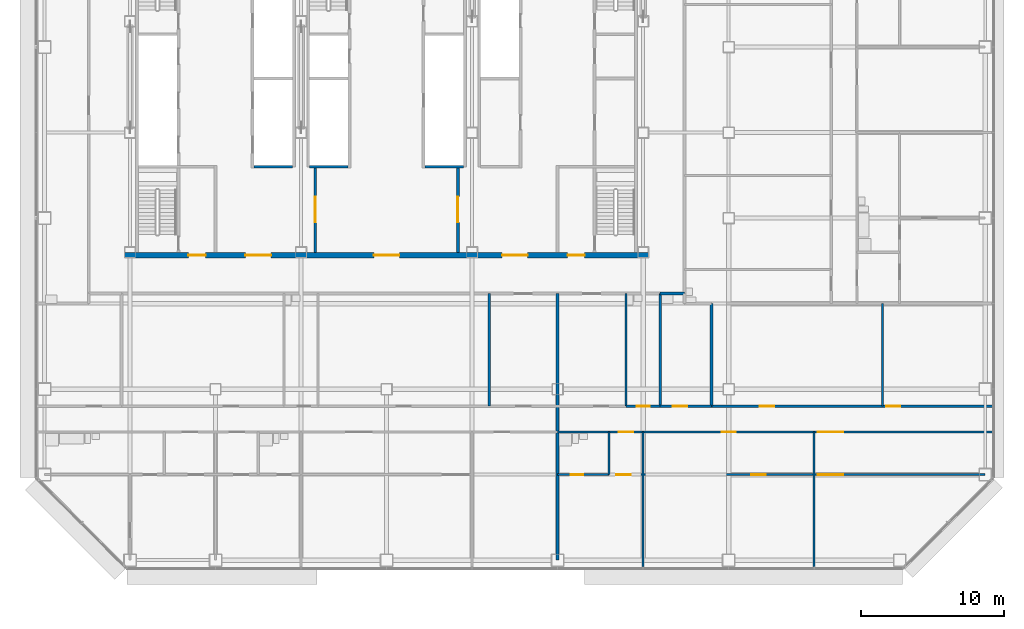
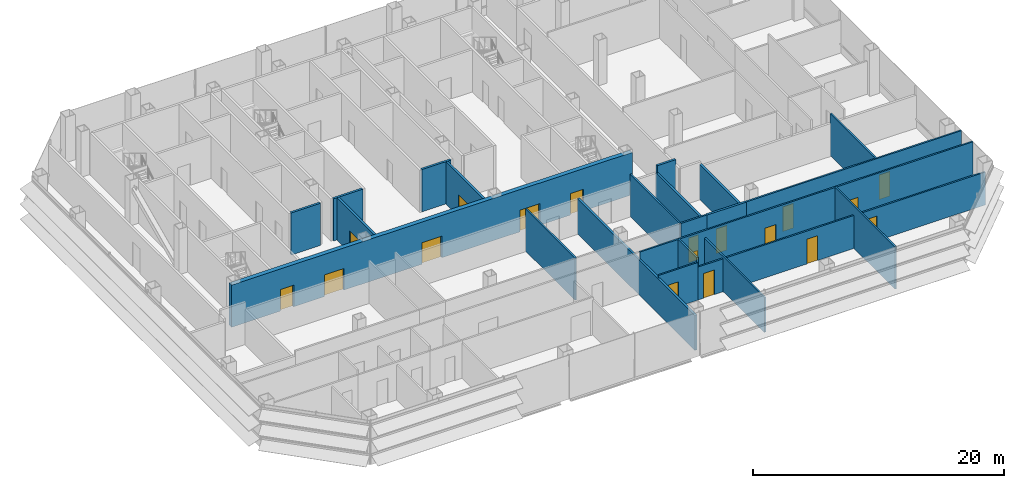
# One storey, part 21 of 27: 23 walls, 18 doors, 18 openings.
"""IFC4 building model written with IfcOpenShell, lengths in metres."""

from ifc_helpers import new_model, si_unit, direction, frame, frame_2d, origin, place, context, subcontext, project, spatial, rectangle, extrude, material, layer, layer_set, type_object, element, fill, save


model = new_model("IFC4")

# Units and contexts
model_context = context("Model", 3, precision=1e-05, world=origin(), true_north=direction((0.0, 1.0)))
body_context = subcontext(model_context, "Body", "Model", "MODEL_VIEW")
ifc_project = project(units=[si_unit("LENGTHUNIT", "METRE"), si_unit("AREAUNIT", "SQUARE_METRE"), si_unit("VOLUMEUNIT", "CUBIC_METRE"), si_unit("PLANEANGLEUNIT", "RADIAN"), si_unit("MASSUNIT", "GRAM", prefix="KILO")], contexts=[model_context])

# Site, building, storey
site_placement = place(None, origin())
site = spatial("IfcSite", under=ifc_project, at=site_placement, CompositionType="ELEMENT")
building_placement = place(site_placement, origin())
building = spatial("IfcBuilding", under=site, at=building_placement, Name="Sorahane Residences", CompositionType="ELEMENT")
storey_placement = place(building_placement, frame((0.0, 0.0, 85.800048828125)))
storey = spatial("IfcBuildingStorey", under=building, at=storey_placement, Name="L18", CompositionType="ELEMENT", Elevation=85.800048828125)

# Walls
ifc_material_1 = material(Name="Concrete blockwork C20 wall", Category="masonry")
ifc_layer_1 = layer(ifc_material_1, 0.199951171875)
ifc_layer_set_1 = layer_set([ifc_layer_1], Name="Kitchen wall 200 EI 180")
wall_type_1 = type_object("IfcWallType", Name="Kitchen wall 200 EI 180", PredefinedType="SOLIDWALL", material=ifc_layer_set_1)
wall_1_placement = place(storey_placement, frame((43.199951171875, 10.800048828125, 0.0), z_axis=(0.0, 0.0, 1.0), x_axis=(0.0, 1.0, 0.0)))
element("IfcWall", 1, at=wall_1_placement, inside=storey, type_object=wall_type_1, Name="L18 kitchen wall", PredefinedType="SOLIDWALL", context=body_context, shape_type="SweptSolid", body=[
    extrude(rectangle(XDim=7.89990234375, YDim=0.199951171875, at=frame_2d((3.949951171875, 0.0))), origin(), (0.0, 0.0, 1.0), 3.39990234375),
])
wall_2_placement = place(storey_placement, frame((46.800048828125, 10.800048828125, 0.0), z_axis=(0.0, 0.0, 1.0), x_axis=(0.0, 1.0, 0.0)))
element("IfcWall", 2, at=wall_2_placement, inside=storey, type_object=wall_type_1, Name="L18 kitchen wall", PredefinedType="SOLIDWALL", context=body_context, shape_type="SweptSolid", body=[
    extrude(rectangle(XDim=7.199951171875, YDim=0.199951171875, at=frame_2d((3.60009765625, 0.0))), origin(), (0.0, 0.0, 1.0), 3.39990234375),
])

# Wall, opening, door
wall_3_placement = place(storey_placement, frame((43.199951171875, 10.800048828125, 0.0), z_axis=(0.0, 0.0, 1.0), x_axis=(1.0, 0.0, 0.0)))
wall_3 = element("IfcWall", 3, at=wall_3_placement, inside=storey, type_object=wall_type_1, Name="L18 kitchen wall", PredefinedType="SOLIDWALL", context=body_context, shape_type="SweptSolid", body=[
    extrude(rectangle(XDim=3.60009765625, YDim=0.199951171875, at=frame_2d((1.800048828125, 0.0))), origin(), (0.0, 0.0, 1.0), 4.099853515625),
])
opening_1_placement = place(wall_3_placement, frame((0.8798828125, 0.0, 0.0)))
opening_1 = element("IfcOpeningElement", 4, at=opening_1_placement, cuts=wall_3, Name="Opening L18-18", PredefinedType="OPENING", context=body_context, shape_type="SweptSolid", body=[
    extrude(rectangle(XDim=1.0, YDim=2.39990234375, at=frame_2d((0.5, 1.199951171875))), frame((0.0, 0.10986328125, 0.0), z_axis=(0.0, -1.0, 0.0), x_axis=(1.0, 0.0, 0.0)), (0.0, 0.0, 1.0), 0.219970703125),
])
ifc_material_2 = material(Name="Steel", Category="steel")
door_type_1 = type_object("IfcDoorType", Name="Kitchen door 1000x2400 FD120", OperationType="NOTDEFINED", PredefinedType="DOOR", material=ifc_material_2)
door_1_placement = place(opening_1_placement, origin())
door_1 = element("IfcDoor", 5, at=door_1_placement, inside=storey, type_object=door_type_1, Name="Kitchen door L18-18", OperationType="SINGLE_SWING_LEFT", OverallHeight=2.39990234375, OverallWidth=1.0, PredefinedType="DOOR", context=body_context, shape_type="SweptSolid", body=[
    extrude(rectangle(XDim=1.0, YDim=2.39990234375, at=frame_2d((0.5, 1.199951171875))), frame((0.0, 0.02490234375, 0.0), z_axis=(0.0, -1.0, 0.0), x_axis=(1.0, 0.0, 0.0)), (0.0, 0.0, 1.0), 0.050048828125),
])
fill(opening_1, door_1)

# Walls
wall_4_placement = place(storey_placement, frame((43.199951171875, 18.699951171875, 0.0), z_axis=(0.0, 0.0, 1.0), x_axis=(1.0, 0.0, 0.0)))
element("IfcWall", 6, at=wall_4_placement, inside=storey, type_object=wall_type_1, Name="L18 kitchen wall", PredefinedType="SOLIDWALL", context=body_context, shape_type="SweptSolid", body=[
    extrude(rectangle(XDim=1.699951171875, YDim=0.199951171875, at=frame_2d((0.85009765625, 0.0))), origin(), (0.0, 0.0, 1.0), 4.099853515625),
])
ifc_material_3 = material(Name="Concrete C30", Category="concrete")
ifc_layer_2 = layer(ifc_material_3, 0.199951171875)
ifc_layer_set_2 = layer_set([ifc_layer_2], Name="Lift shaft wall 200 EI 120")
wall_type_2 = type_object("IfcWallType", Name="Lift shaft wall 200 EI 120", PredefinedType="SOLIDWALL", material=ifc_layer_set_2)
for number, where, z_axis, x_axis, name in (
    (7, (14.699951171875, 27.60009765625, 0.0), (0.0, 0.0, 1.0), (1.0, 0.0, 0.0), "L18 lift shaft wall"),
    (8, (18.60009765625, 27.60009765625, 0.0), (0.0, 0.0, 1.0), (1.0, 0.0, 0.0), "L18 lift shaft wall"),
):
    element("IfcWall", number, at=place(storey_placement, frame(where, z_axis=z_axis, x_axis=x_axis)), inside=storey, type_object=wall_type_2, Name=name, PredefinedType="SOLIDWALL", context=body_context, shape_type="SweptSolid", body=[
        extrude(rectangle(XDim=2.699951171875, YDim=0.199951171875, at=frame_2d((1.35009765625, 0.0))), origin(), (0.0, 0.0, 1.0), 4.099853515625),
    ])
ifc_material_4 = material(Name="Gypsum board partition on steel studs", Category="steel")
ifc_layer_3 = layer(ifc_material_4, 0.14990234375)
ifc_layer_set_3 = layer_set([ifc_layer_3], Name="Partition 150 EI 90")
wall_type_3 = type_object("IfcWallType", Name="Partition 150 EI 90", PredefinedType="PARTITIONING", material=ifc_layer_set_3)
wall_5_placement = place(storey_placement, frame((31.199951171875, 10.800048828125, 0.0), z_axis=(0.0, 0.0, 1.0), x_axis=(0.0, 1.0, 0.0)))
element("IfcWall", 9, at=wall_5_placement, inside=storey, type_object=wall_type_3, Name="L18 partition", PredefinedType="PARTITIONING", context=body_context, shape_type="SweptSolid", body=[
    extrude(rectangle(XDim=7.89990234375, YDim=0.14990234375, at=frame_2d((3.949951171875, 0.0))), origin(), (0.0, 0.0, 1.0), 4.099853515625),
])
wall_6_placement = place(storey_placement, frame((42.0, -0.60009765625, 0.0), z_axis=(0.0, 0.0, 1.0), x_axis=(0.0, 1.0, 0.0)))
element("IfcWall", 10, at=wall_6_placement, inside=storey, type_object=wall_type_3, Name="L18 partition", PredefinedType="PARTITIONING", context=body_context, shape_type="SweptSolid", body=[
    extrude(rectangle(XDim=9.60009765625, YDim=0.14990234375, at=frame_2d((4.800048828125, 0.0))), origin(), (0.0, 0.0, 1.0), 3.39990234375),
])
wall_7_placement = place(storey_placement, frame((54.0, -0.60009765625, 0.0), z_axis=(0.0, 0.0, 1.0), x_axis=(0.0, 1.0, 0.0)))
element("IfcWall", 11, at=wall_7_placement, inside=storey, type_object=wall_type_3, Name="L18 partition", PredefinedType="PARTITIONING", context=body_context, shape_type="SweptSolid", body=[
    extrude(rectangle(XDim=9.60009765625, YDim=0.14990234375, at=frame_2d((4.800048828125, 0.0))), origin(), (0.0, 0.0, 1.0), 4.099853515625),
])
wall_8_placement = place(storey_placement, frame((58.800048828125, 10.800048828125, 0.0), z_axis=(0.0, 0.0, 1.0), x_axis=(0.0, 1.0, 0.0)))
element("IfcWall", 12, at=wall_8_placement, inside=storey, type_object=wall_type_3, Name="L18 partition", PredefinedType="PARTITIONING", context=body_context, shape_type="SweptSolid", body=[
    extrude(rectangle(XDim=7.199951171875, YDim=0.14990234375, at=frame_2d((3.60009765625, 0.0))), origin(), (0.0, 0.0, 1.0), 4.099853515625),
])

# Wall, openings, doors
wall_9_placement = place(storey_placement, frame((46.800048828125, 10.800048828125, 0.0), z_axis=(0.0, 0.0, 1.0), x_axis=(1.0, 0.0, 0.0)))
wall_9 = element("IfcWall", 13, at=wall_9_placement, inside=storey, type_object=wall_type_3, Name="L18 partition", PredefinedType="PARTITIONING", context=body_context, shape_type="SweptSolid", body=[
    extrude(rectangle(XDim=19.800048828125, YDim=0.14990234375, at=frame_2d((9.89990234375, 0.0))), origin(), (0.0, 0.0, 1.0), 4.099853515625),
])
opening_2_placement = place(wall_9_placement, frame((3.39990234375, 0.0, 0.0)))
opening_2 = element("IfcOpeningElement", 14, at=opening_2_placement, cuts=wall_9, Name="Opening L18-19", PredefinedType="OPENING", context=body_context, shape_type="SweptSolid", body=[
    extrude(rectangle(XDim=1.0, YDim=2.39990234375, at=frame_2d((0.5, 1.199951171875))), frame((0.0, 0.0849609375, 0.0), z_axis=(0.0, -1.0, 0.0), x_axis=(1.0, 0.0, 0.0)), (0.0, 0.0, 1.0), 0.169921875),
])
opening_3_placement = place(wall_9_placement, frame((12.25, 0.0, 0.0)))
opening_3 = element("IfcOpeningElement", 15, at=opening_3_placement, cuts=wall_9, Name="Opening L18-20", PredefinedType="OPENING", context=body_context, shape_type="SweptSolid", body=[
    extrude(rectangle(XDim=1.0, YDim=2.39990234375, at=frame_2d((0.5, 1.199951171875))), frame((0.0, 0.0849609375, 0.0), z_axis=(0.0, -1.0, 0.0), x_axis=(1.0, 0.0, 0.0)), (0.0, 0.0, 1.0), 0.169921875),
])
ifc_material_5 = material(Name="Timber veneered fire door", Category="wood")
door_type_2 = type_object("IfcDoorType", Name="Room door 1000x2400 FD30", OperationType="NOTDEFINED", PredefinedType="DOOR", material=ifc_material_5)
door_2_placement = place(opening_2_placement, origin())
door_2 = element("IfcDoor", 16, at=door_2_placement, inside=storey, type_object=door_type_2, Name="Room door L18-19", OperationType="SINGLE_SWING_LEFT", OverallHeight=2.39990234375, OverallWidth=1.0, PredefinedType="DOOR", context=body_context, shape_type="SweptSolid", body=[
    extrude(rectangle(XDim=1.0, YDim=2.39990234375, at=frame_2d((0.5, 1.199951171875))), frame((0.0, 0.02490234375, 0.0), z_axis=(0.0, -1.0, 0.0), x_axis=(1.0, 0.0, 0.0)), (0.0, 0.0, 1.0), 0.050048828125),
])
fill(opening_2, door_2)
door_3_placement = place(opening_3_placement, origin())
door_3 = element("IfcDoor", 17, at=door_3_placement, inside=storey, type_object=door_type_2, Name="Room door L18-20", OperationType="SINGLE_SWING_RIGHT", OverallHeight=2.39990234375, OverallWidth=1.0, PredefinedType="DOOR", context=body_context, shape_type="SweptSolid", body=[
    extrude(rectangle(XDim=1.0, YDim=2.39990234375, at=frame_2d((0.5, 1.199951171875))), frame((0.0, 0.02490234375, 0.0), z_axis=(0.0, -1.0, 0.0), x_axis=(1.0, 0.0, 0.0)), (0.0, 0.0, 1.0), 0.050048828125),
])
fill(opening_3, door_3)

wall_10_placement = place(storey_placement, frame((39.60009765625, 6.0, 0.0), z_axis=(0.0, 0.0, 1.0), x_axis=(1.0, 0.0, 0.0)))
wall_10 = element("IfcWall", 18, at=wall_10_placement, inside=storey, type_object=wall_type_3, Name="L18 partition", PredefinedType="PARTITIONING", context=body_context, shape_type="SweptSolid", body=[
    extrude(rectangle(XDim=26.39990234375, YDim=0.14990234375, at=frame_2d((13.199951171875, 0.0))), origin(), (0.0, 0.0, 1.0), 3.199951171875),
])
opening_4_placement = place(wall_10_placement, frame((0.52001953125, 0.0, 0.0)))
opening_4 = element("IfcOpeningElement", 19, at=opening_4_placement, cuts=wall_10, Name="Opening L18-24", PredefinedType="OPENING", context=body_context, shape_type="SweptSolid", body=[
    extrude(rectangle(XDim=1.0, YDim=2.39990234375, at=frame_2d((0.5, 1.199951171875))), frame((0.0, 0.0849609375, 0.0), z_axis=(0.0, -1.0, 0.0), x_axis=(1.0, 0.0, 0.0)), (0.0, 0.0, 1.0), 0.169921875),
])
opening_5_placement = place(wall_10_placement, frame((10.0, 0.0, 0.0)))
opening_5 = element("IfcOpeningElement", 20, at=opening_5_placement, cuts=wall_10, Name="Opening L18-26", PredefinedType="OPENING", context=body_context, shape_type="SweptSolid", body=[
    extrude(rectangle(XDim=1.0, YDim=2.39990234375, at=frame_2d((0.5, 1.199951171875))), frame((0.0, 0.0849609375, 0.0), z_axis=(0.0, -1.0, 0.0), x_axis=(1.0, 0.0, 0.0)), (0.0, 0.0, 1.0), 0.169921875),
])
opening_6_placement = place(wall_10_placement, frame((14.64990234375, 0.0, 0.0)))
opening_6 = element("IfcOpeningElement", 21, at=opening_6_placement, cuts=wall_10, Name="Opening L18-27", PredefinedType="OPENING", context=body_context, shape_type="SweptSolid", body=[
    extrude(rectangle(XDim=1.800048828125, YDim=2.39990234375, at=frame_2d((0.89990234375, 1.199951171875))), frame((0.0, 0.0849609375, 0.0), z_axis=(0.0, -1.0, 0.0), x_axis=(1.0, 0.0, 0.0)), (0.0, 0.0, 1.0), 0.169921875),
])
ifc_material_6 = material(Name="Timber veneered fire door", Category="wood")
door_type_3 = type_object("IfcDoorType", Name="Double door 1800x2400 FD30", OperationType="NOTDEFINED", PredefinedType="DOOR", material=ifc_material_6)
door_4_placement = place(opening_6_placement, frame((1.800048828125, 0.0, 0.0), z_axis=(0.0, 0.0, 1.0), x_axis=(-1.0, 0.0, 0.0)))
door_4 = element("IfcDoor", 22, at=door_4_placement, inside=storey, type_object=door_type_3, Name="Double door L18-27", OperationType="SINGLE_SWING_RIGHT", OverallHeight=2.39990234375, OverallWidth=1.800048828125, PredefinedType="DOOR", context=body_context, shape_type="SweptSolid", body=[
    extrude(rectangle(XDim=1.800048828125, YDim=2.39990234375, at=frame_2d((0.89990234375, 1.199951171875))), frame((0.0, 0.02490234375, 0.0), z_axis=(0.0, -1.0, 0.0), x_axis=(1.0, 0.0, 0.0)), (0.0, 0.0, 1.0), 0.050048828125),
])
fill(opening_6, door_4)
door_5_placement = place(opening_4_placement, frame((1.0, 0.0, 0.0), z_axis=(0.0, 0.0, 1.0), x_axis=(-1.0, 0.0, 0.0)))
door_5 = element("IfcDoor", 23, at=door_5_placement, inside=storey, type_object=door_type_2, Name="Room door L18-24", OperationType="SINGLE_SWING_RIGHT", OverallHeight=2.39990234375, OverallWidth=1.0, PredefinedType="DOOR", context=body_context, shape_type="SweptSolid", body=[
    extrude(rectangle(XDim=1.0, YDim=2.39990234375, at=frame_2d((0.5, 1.199951171875))), frame((0.0, 0.02490234375, 0.0), z_axis=(0.0, -1.0, 0.0), x_axis=(1.0, 0.0, 0.0)), (0.0, 0.0, 1.0), 0.050048828125),
])
fill(opening_4, door_5)
door_6_placement = place(opening_5_placement, frame((1.0, 0.0, 0.0), z_axis=(0.0, 0.0, 1.0), x_axis=(-1.0, 0.0, 0.0)))
door_6 = element("IfcDoor", 24, at=door_6_placement, inside=storey, type_object=door_type_2, Name="Room door L18-26", OperationType="SINGLE_SWING_RIGHT", OverallHeight=2.39990234375, OverallWidth=1.0, PredefinedType="DOOR", context=body_context, shape_type="SweptSolid", body=[
    extrude(rectangle(XDim=1.0, YDim=2.39990234375, at=frame_2d((0.5, 1.199951171875))), frame((0.0, 0.02490234375, 0.0), z_axis=(0.0, -1.0, 0.0), x_axis=(1.0, 0.0, 0.0)), (0.0, 0.0, 1.0), 0.050048828125),
])
fill(opening_5, door_6)

wall_11_placement = place(storey_placement, frame((39.60009765625, 9.0, 0.0), z_axis=(0.0, 0.0, 1.0), x_axis=(1.0, 0.0, 0.0)))
wall_11 = element("IfcWall", 25, at=wall_11_placement, inside=storey, type_object=wall_type_3, Name="L18 partition", PredefinedType="PARTITIONING", context=body_context, shape_type="SweptSolid", body=[
    extrude(rectangle(XDim=27.0, YDim=0.14990234375, at=frame_2d((13.5, 0.0))), origin(), (0.0, 0.0, 1.0), 4.099853515625),
])
opening_7_placement = place(wall_11_placement, frame((0.699951171875, 0.0, 0.0)))
opening_7 = element("IfcOpeningElement", 26, at=opening_7_placement, cuts=wall_11, Name="Opening L18-21", PredefinedType="OPENING", context=body_context, shape_type="SweptSolid", body=[
    extrude(rectangle(XDim=1.0, YDim=2.39990234375, at=frame_2d((0.5, 1.199951171875))), frame((0.0, 0.0849609375, 0.0), z_axis=(0.0, -1.0, 0.0), x_axis=(1.0, 0.0, 0.0)), (0.0, 0.0, 1.0), 0.169921875),
])
opening_8_placement = place(wall_11_placement, frame((7.89990234375, 0.0, 0.0)))
opening_8 = element("IfcOpeningElement", 27, at=opening_8_placement, cuts=wall_11, Name="Opening L18-22", PredefinedType="OPENING", context=body_context, shape_type="SweptSolid", body=[
    extrude(rectangle(XDim=1.0, YDim=2.39990234375, at=frame_2d((0.5, 1.199951171875))), frame((0.0, 0.0849609375, 0.0), z_axis=(0.0, -1.0, 0.0), x_axis=(1.0, 0.0, 0.0)), (0.0, 0.0, 1.0), 0.169921875),
])
opening_9_placement = place(wall_11_placement, frame((14.64990234375, 0.0, 0.0)))
opening_9 = element("IfcOpeningElement", 28, at=opening_9_placement, cuts=wall_11, Name="Opening L18-23", PredefinedType="OPENING", context=body_context, shape_type="SweptSolid", body=[
    extrude(rectangle(XDim=1.800048828125, YDim=2.39990234375, at=frame_2d((0.89990234375, 1.199951171875))), frame((0.0, 0.0849609375, 0.0), z_axis=(0.0, -1.0, 0.0), x_axis=(1.0, 0.0, 0.0)), (0.0, 0.0, 1.0), 0.169921875),
])
door_7_placement = place(opening_9_placement, frame((1.800048828125, 0.0, 0.0), z_axis=(0.0, 0.0, 1.0), x_axis=(-1.0, 0.0, 0.0)))
door_7 = element("IfcDoor", 29, at=door_7_placement, inside=storey, type_object=door_type_3, Name="Double door L18-23", OperationType="SINGLE_SWING_RIGHT", OverallHeight=2.39990234375, OverallWidth=1.800048828125, PredefinedType="DOOR", context=body_context, shape_type="SweptSolid", body=[
    extrude(rectangle(XDim=1.800048828125, YDim=2.39990234375, at=frame_2d((0.89990234375, 1.199951171875))), frame((0.0, 0.02490234375, 0.0), z_axis=(0.0, -1.0, 0.0), x_axis=(1.0, 0.0, 0.0)), (0.0, 0.0, 1.0), 0.050048828125),
])
fill(opening_9, door_7)
door_8_placement = place(opening_7_placement, frame((1.0, 0.0, 0.0), z_axis=(0.0, 0.0, 1.0), x_axis=(-1.0, 0.0, 0.0)))
door_8 = element("IfcDoor", 30, at=door_8_placement, inside=storey, type_object=door_type_2, Name="Room door L18-21", OperationType="SINGLE_SWING_RIGHT", OverallHeight=2.39990234375, OverallWidth=1.0, PredefinedType="DOOR", context=body_context, shape_type="SweptSolid", body=[
    extrude(rectangle(XDim=1.0, YDim=2.39990234375, at=frame_2d((0.5, 1.199951171875))), frame((0.0, 0.02490234375, 0.0), z_axis=(0.0, -1.0, 0.0), x_axis=(1.0, 0.0, 0.0)), (0.0, 0.0, 1.0), 0.050048828125),
])
fill(opening_7, door_8)
door_9_placement = place(opening_8_placement, frame((1.0, 0.0, 0.0), z_axis=(0.0, 0.0, 1.0), x_axis=(-1.0, 0.0, 0.0)))
door_9 = element("IfcDoor", 31, at=door_9_placement, inside=storey, type_object=door_type_2, Name="Room door L18-22", OperationType="SINGLE_SWING_RIGHT", OverallHeight=2.39990234375, OverallWidth=1.0, PredefinedType="DOOR", context=body_context, shape_type="SweptSolid", body=[
    extrude(rectangle(XDim=1.0, YDim=2.39990234375, at=frame_2d((0.5, 1.199951171875))), frame((0.0, 0.02490234375, 0.0), z_axis=(0.0, -1.0, 0.0), x_axis=(1.0, 0.0, 0.0)), (0.0, 0.0, 1.0), 0.050048828125),
])
fill(opening_8, door_9)

# Walls
ifc_material_7 = material(Name="Concrete blockwork C20 wall", Category="masonry")
ifc_layer_4 = layer(ifc_material_7, 0.199951171875)
ifc_layer_set_4 = layer_set([ifc_layer_4], Name="Party wall 200 EI 120")
wall_type_4 = type_object("IfcWallType", Name="Party wall 200 EI 120", PredefinedType="SOLIDWALL", material=ifc_layer_set_4)
wall_12_placement = place(storey_placement, frame((36.0, 0.0, 0.0), z_axis=(0.0, 0.0, 1.0), x_axis=(0.0, 1.0, 0.0)))
element("IfcWall", 32, at=wall_12_placement, inside=storey, type_object=wall_type_4, Name="L18 party wall", PredefinedType="SOLIDWALL", context=body_context, shape_type="SweptSolid", body=[
    extrude(rectangle(XDim=18.699951171875, YDim=0.199951171875, at=frame_2d((9.35009765625, 0.0))), origin(), (0.0, 0.0, 1.0), 3.39990234375),
])
ifc_material_8 = material(Name="Concrete C30", Category="concrete")
ifc_layer_5 = layer(ifc_material_8, 0.199951171875)
ifc_layer_set_5 = layer_set([ifc_layer_5], Name="Riser shaft wall 200 EI 120")
wall_type_5 = type_object("IfcWallType", Name="Riser shaft wall 200 EI 120", PredefinedType="SOLIDWALL", material=ifc_layer_set_5)
wall_13_placement = place(storey_placement, frame((26.699951171875, 27.60009765625, 0.0), z_axis=(0.0, 0.0, 1.0), x_axis=(1.0, 0.0, 0.0)))
element("IfcWall", 33, at=wall_13_placement, inside=storey, type_object=wall_type_5, Name="L18 riser wall", PredefinedType="SOLIDWALL", context=body_context, shape_type="SweptSolid", body=[
    extrude(rectangle(XDim=2.699951171875, YDim=0.199951171875, at=frame_2d((1.35009765625, 0.0))), origin(), (0.0, 0.0, 1.0), 4.099853515625),
])

# Wall, opening, door
ifc_material_9 = material(Name="Concrete C30", Category="concrete")
ifc_layer_6 = layer(ifc_material_9, 0.199951171875)
ifc_layer_set_6 = layer_set([ifc_layer_6], Name="Service room partition 200 EI 60")
wall_type_6 = type_object("IfcWallType", Name="Service room partition 200 EI 60", PredefinedType="PARTITIONING", material=ifc_layer_set_6)
wall_14_placement = place(storey_placement, frame((19.0, 21.60009765625, 0.0), z_axis=(0.0, 0.0, 1.0), x_axis=(0.0, 1.0, 0.0)))
wall_14 = element("IfcWall", 34, at=wall_14_placement, inside=storey, type_object=wall_type_6, Name="L18 service room wall", PredefinedType="PARTITIONING", context=body_context, shape_type="SweptSolid", body=[
    extrude(rectangle(XDim=6.0, YDim=0.199951171875, at=frame_2d((3.0, 0.0))), origin(), (0.0, 0.0, 1.0), 4.099853515625),
])
opening_10_placement = place(wall_14_placement, frame((2.10009765625, 0.0, 0.0)))
opening_10 = element("IfcOpeningElement", 35, at=opening_10_placement, cuts=wall_14, Name="Opening L18-C02", PredefinedType="OPENING", context=body_context, shape_type="SweptSolid", body=[
    extrude(rectangle(XDim=1.800048828125, YDim=2.10009765625, at=frame_2d((0.89990234375, 1.050048828125))), frame((0.0, 0.10986328125, 0.0), z_axis=(0.0, -1.0, 0.0), x_axis=(1.0, 0.0, 0.0)), (0.0, 0.0, 1.0), 0.219970703125),
])
ifc_material_10 = material(Name="Steel", Category="steel")
door_type_4 = type_object("IfcDoorType", Name="Waiting hall door 1800x2100 FD60", OperationType="NOTDEFINED", PredefinedType="DOOR", material=ifc_material_10)
door_10_placement = place(opening_10_placement, origin())
door_10 = element("IfcDoor", 36, at=door_10_placement, inside=storey, type_object=door_type_4, Name="Waiting hall door Residents' waiting hall west L18", OperationType="SINGLE_SWING_LEFT", OverallHeight=2.10009765625, OverallWidth=1.800048828125, PredefinedType="DOOR", context=body_context, shape_type="SweptSolid", body=[
    extrude(rectangle(XDim=1.800048828125, YDim=2.10009765625, at=frame_2d((0.89990234375, 1.050048828125))), frame((0.0, 0.02490234375, 0.0), z_axis=(0.0, -1.0, 0.0), x_axis=(1.0, 0.0, 0.0)), (0.0, 0.0, 1.0), 0.050048828125),
])
fill(opening_10, door_10)

wall_15_placement = place(storey_placement, frame((29.0, 21.60009765625, 0.0), z_axis=(0.0, 0.0, 1.0), x_axis=(0.0, 1.0, 0.0)))
wall_15 = element("IfcWall", 37, at=wall_15_placement, inside=storey, type_object=wall_type_6, Name="L18 service room wall", PredefinedType="PARTITIONING", context=body_context, shape_type="SweptSolid", body=[
    extrude(rectangle(XDim=6.0, YDim=0.199951171875, at=frame_2d((3.0, 0.0))), origin(), (0.0, 0.0, 1.0), 4.099853515625),
])
opening_11_placement = place(wall_15_placement, frame((2.10009765625, 0.0, 0.0)))
opening_11 = element("IfcOpeningElement", 38, at=opening_11_placement, cuts=wall_15, Name="Opening L18-C04", PredefinedType="OPENING", context=body_context, shape_type="SweptSolid", body=[
    extrude(rectangle(XDim=1.800048828125, YDim=2.10009765625, at=frame_2d((0.89990234375, 1.050048828125))), frame((0.0, 0.10986328125, 0.0), z_axis=(0.0, -1.0, 0.0), x_axis=(1.0, 0.0, 0.0)), (0.0, 0.0, 1.0), 0.219970703125),
])
door_11_placement = place(opening_11_placement, origin())
door_11 = element("IfcDoor", 39, at=door_11_placement, inside=storey, type_object=door_type_4, Name="Waiting hall door Residents' waiting hall centre L18", OperationType="SINGLE_SWING_LEFT", OverallHeight=2.10009765625, OverallWidth=1.800048828125, PredefinedType="DOOR", context=body_context, shape_type="SweptSolid", body=[
    extrude(rectangle(XDim=1.800048828125, YDim=2.10009765625, at=frame_2d((0.89990234375, 1.050048828125))), frame((0.0, 0.02490234375, 0.0), z_axis=(0.0, -1.0, 0.0), x_axis=(1.0, 0.0, 0.0)), (0.0, 0.0, 1.0), 0.050048828125),
])
fill(opening_11, door_11)

# Wall, openings, doors
ifc_material_11 = material(Name="Concrete C30", Category="concrete")
ifc_layer_7 = layer(ifc_material_11, 0.39990234375)
ifc_layer_set_7 = layer_set([ifc_layer_7], Name="Waiting hall wall 400 EI 120")
wall_type_7 = type_object("IfcWallType", Name="Waiting hall wall 400 EI 120", PredefinedType="SOLIDWALL", material=ifc_layer_set_7)
wall_16_placement = place(storey_placement, frame((5.60009765625, 21.39990234375, 0.0), z_axis=(0.0, 0.0, 1.0), x_axis=(1.0, 0.0, 0.0)))
wall_16 = element("IfcWall", 40, at=wall_16_placement, inside=storey, type_object=wall_type_7, Name="L18 waiting hall wall", PredefinedType="SOLIDWALL", context=body_context, shape_type="SweptSolid", body=[
    extrude(rectangle(XDim=36.7998046875, YDim=0.39990234375, at=frame_2d((18.39990234375, 0.0))), origin(), (0.0, 0.0, 1.0), 4.099853515625),
])
opening_12_placement = place(wall_16_placement, frame((8.5, 0.0, 0.0)))
opening_12 = element("IfcOpeningElement", 41, at=opening_12_placement, cuts=wall_16, Name="Opening L18-C01", PredefinedType="OPENING", context=body_context, shape_type="SweptSolid", body=[
    extrude(rectangle(XDim=1.800048828125, YDim=2.10009765625, at=frame_2d((0.89990234375, 1.050048828125))), frame((0.0, 0.2099609375, 0.0), z_axis=(0.0, -1.0, 0.0), x_axis=(1.0, 0.0, 0.0)), (0.0, 0.0, 1.0), 0.419921875),
])
opening_13_placement = place(wall_16_placement, frame((17.5, 0.0, 0.0)))
opening_13 = element("IfcOpeningElement", 42, at=opening_13_placement, cuts=wall_16, Name="Opening L18-C03", PredefinedType="OPENING", context=body_context, shape_type="SweptSolid", body=[
    extrude(rectangle(XDim=1.800048828125, YDim=2.10009765625, at=frame_2d((0.89990234375, 1.050048828125))), frame((0.0, 0.2099609375, 0.0), z_axis=(0.0, -1.0, 0.0), x_axis=(1.0, 0.0, 0.0)), (0.0, 0.0, 1.0), 0.419921875),
])
opening_14_placement = place(wall_16_placement, frame((26.5, 0.0, 0.0)))
opening_14 = element("IfcOpeningElement", 43, at=opening_14_placement, cuts=wall_16, Name="Opening L18-C05", PredefinedType="OPENING", context=body_context, shape_type="SweptSolid", body=[
    extrude(rectangle(XDim=1.800048828125, YDim=2.10009765625, at=frame_2d((0.89990234375, 1.050048828125))), frame((0.0, 0.2099609375, 0.0), z_axis=(0.0, -1.0, 0.0), x_axis=(1.0, 0.0, 0.0)), (0.0, 0.0, 1.0), 0.419921875),
])
opening_15_placement = place(wall_16_placement, frame((4.5, 0.0, 0.0)))
opening_15 = element("IfcOpeningElement", 44, at=opening_15_placement, cuts=wall_16, Name="Opening L18-C06", PredefinedType="OPENING", context=body_context, shape_type="SweptSolid", body=[
    extrude(rectangle(XDim=1.199951171875, YDim=2.10009765625, at=frame_2d((0.60009765625, 1.050048828125))), frame((0.0, 0.2099609375, 0.0), z_axis=(0.0, -1.0, 0.0), x_axis=(1.0, 0.0, 0.0)), (0.0, 0.0, 1.0), 0.419921875),
])
opening_16_placement = place(wall_16_placement, frame((31.10009765625, 0.0, 0.0)))
opening_16 = element("IfcOpeningElement", 45, at=opening_16_placement, cuts=wall_16, Name="Opening L18-C07", PredefinedType="OPENING", context=body_context, shape_type="SweptSolid", body=[
    extrude(rectangle(XDim=1.199951171875, YDim=2.10009765625, at=frame_2d((0.60009765625, 1.050048828125))), frame((0.0, 0.2099609375, 0.0), z_axis=(0.0, -1.0, 0.0), x_axis=(1.0, 0.0, 0.0)), (0.0, 0.0, 1.0), 0.419921875),
])
ifc_material_12 = material(Name="Steel", Category="steel")
door_type_5 = type_object("IfcDoorType", Name="Stair front room door 1200x2100 FD120", OperationType="NOTDEFINED", PredefinedType="DOOR", material=ifc_material_12)
door_12_placement = place(opening_15_placement, frame((1.199951171875, 0.0, 0.0), z_axis=(0.0, 0.0, 1.0), x_axis=(-1.0, 0.0, 0.0)))
door_12 = element("IfcDoor", 46, at=door_12_placement, inside=storey, type_object=door_type_5, Name="Stair front room door Stair S4 front room L18", OperationType="SINGLE_SWING_LEFT", OverallHeight=2.10009765625, OverallWidth=1.199951171875, PredefinedType="DOOR", context=body_context, shape_type="SweptSolid", body=[
    extrude(rectangle(XDim=1.199951171875, YDim=2.10009765625, at=frame_2d((0.60009765625, 1.050048828125))), frame((0.0, 0.02490234375, 0.0), z_axis=(0.0, -1.0, 0.0), x_axis=(1.0, 0.0, 0.0)), (0.0, 0.0, 1.0), 0.050048828125),
])
fill(opening_15, door_12)
door_13_placement = place(opening_16_placement, frame((1.199951171875, 0.0, 0.0), z_axis=(0.0, 0.0, 1.0), x_axis=(-1.0, 0.0, 0.0)))
door_13 = element("IfcDoor", 47, at=door_13_placement, inside=storey, type_object=door_type_5, Name="Stair front room door Stair S5 front room L18", OperationType="SINGLE_SWING_LEFT", OverallHeight=2.10009765625, OverallWidth=1.199951171875, PredefinedType="DOOR", context=body_context, shape_type="SweptSolid", body=[
    extrude(rectangle(XDim=1.199951171875, YDim=2.10009765625, at=frame_2d((0.60009765625, 1.050048828125))), frame((0.0, 0.02490234375, 0.0), z_axis=(0.0, -1.0, 0.0), x_axis=(1.0, 0.0, 0.0)), (0.0, 0.0, 1.0), 0.050048828125),
])
fill(opening_16, door_13)
door_14_placement = place(opening_12_placement, frame((1.800048828125, 0.0, 0.0), z_axis=(0.0, 0.0, 1.0), x_axis=(-1.0, 0.0, 0.0)))
door_14 = element("IfcDoor", 48, at=door_14_placement, inside=storey, type_object=door_type_4, Name="Waiting hall door Residents' waiting hall west L18", OperationType="SINGLE_SWING_LEFT", OverallHeight=2.10009765625, OverallWidth=1.800048828125, PredefinedType="DOOR", context=body_context, shape_type="SweptSolid", body=[
    extrude(rectangle(XDim=1.800048828125, YDim=2.10009765625, at=frame_2d((0.89990234375, 1.050048828125))), frame((0.0, 0.02490234375, 0.0), z_axis=(0.0, -1.0, 0.0), x_axis=(1.0, 0.0, 0.0)), (0.0, 0.0, 1.0), 0.050048828125),
])
fill(opening_12, door_14)
door_15_placement = place(opening_13_placement, frame((1.800048828125, 0.0, 0.0), z_axis=(0.0, 0.0, 1.0), x_axis=(-1.0, 0.0, 0.0)))
door_15 = element("IfcDoor", 49, at=door_15_placement, inside=storey, type_object=door_type_4, Name="Waiting hall door Residents' waiting hall centre L18", OperationType="SINGLE_SWING_LEFT", OverallHeight=2.10009765625, OverallWidth=1.800048828125, PredefinedType="DOOR", context=body_context, shape_type="SweptSolid", body=[
    extrude(rectangle(XDim=1.800048828125, YDim=2.10009765625, at=frame_2d((0.89990234375, 1.050048828125))), frame((0.0, 0.02490234375, 0.0), z_axis=(0.0, -1.0, 0.0), x_axis=(1.0, 0.0, 0.0)), (0.0, 0.0, 1.0), 0.050048828125),
])
fill(opening_13, door_15)
door_16_placement = place(opening_14_placement, frame((1.800048828125, 0.0, 0.0), z_axis=(0.0, 0.0, 1.0), x_axis=(-1.0, 0.0, 0.0)))
door_16 = element("IfcDoor", 50, at=door_16_placement, inside=storey, type_object=door_type_4, Name="Waiting hall door Residents' waiting hall east L18", OperationType="SINGLE_SWING_LEFT", OverallHeight=2.10009765625, OverallWidth=1.800048828125, PredefinedType="DOOR", context=body_context, shape_type="SweptSolid", body=[
    extrude(rectangle(XDim=1.800048828125, YDim=2.10009765625, at=frame_2d((0.89990234375, 1.050048828125))), frame((0.0, 0.02490234375, 0.0), z_axis=(0.0, -1.0, 0.0), x_axis=(1.0, 0.0, 0.0)), (0.0, 0.0, 1.0), 0.050048828125),
])
fill(opening_14, door_16)

# Walls
ifc_material_13 = material(Name="Gypsum board partition on steel studs", Category="steel")
ifc_layer_8 = layer(ifc_material_13, 0.14990234375)
ifc_layer_set_8 = layer_set([ifc_layer_8], Name="Wet wall 150 EI 90")
wall_type_8 = type_object("IfcWallType", Name="Wet wall 150 EI 90", PredefinedType="PARTITIONING", material=ifc_layer_set_8)
wall_17_placement = place(storey_placement, frame((39.60009765625, 6.0, 0.0), z_axis=(0.0, 0.0, 1.0), x_axis=(0.0, 1.0, 0.0)))
element("IfcWall", 51, at=wall_17_placement, inside=storey, type_object=wall_type_8, Name="L18 wet wall", PredefinedType="PARTITIONING", context=body_context, shape_type="SweptSolid", body=[
    extrude(rectangle(XDim=3.0, YDim=0.14990234375, at=frame_2d((1.5, 0.0))), origin(), (0.0, 0.0, 1.0), 4.099853515625),
])
wall_18_placement = place(storey_placement, frame((40.800048828125, 10.800048828125, 0.0), z_axis=(0.0, 0.0, 1.0), x_axis=(0.0, 1.0, 0.0)))
element("IfcWall", 52, at=wall_18_placement, inside=storey, type_object=wall_type_8, Name="L18 wet wall", PredefinedType="PARTITIONING", context=body_context, shape_type="SweptSolid", body=[
    extrude(rectangle(XDim=7.89990234375, YDim=0.14990234375, at=frame_2d((3.949951171875, 0.0))), origin(), (0.0, 0.0, 1.0), 4.099853515625),
])

# Wall, opening, door
wall_19_placement = place(storey_placement, frame((40.800048828125, 10.800048828125, 0.0), z_axis=(0.0, 0.0, 1.0), x_axis=(1.0, 0.0, 0.0)))
wall_19 = element("IfcWall", 53, at=wall_19_placement, inside=storey, type_object=wall_type_8, Name="L18 wet wall", PredefinedType="PARTITIONING", context=body_context, shape_type="SweptSolid", body=[
    extrude(rectangle(XDim=2.39990234375, YDim=0.14990234375, at=frame_2d((1.199951171875, 0.0))), origin(), (0.0, 0.0, 1.0), 4.099853515625),
])
opening_17_placement = place(wall_19_placement, frame((0.75, 0.0, 0.0)))
opening_17 = element("IfcOpeningElement", 54, at=opening_17_placement, cuts=wall_19, Name="Opening L18-17", PredefinedType="OPENING", context=body_context, shape_type="SweptSolid", body=[
    extrude(rectangle(XDim=0.89990234375, YDim=2.39990234375, at=frame_2d((0.449951171875, 1.199951171875))), frame((0.0, 0.0849609375, 0.0), z_axis=(0.0, -1.0, 0.0), x_axis=(1.0, 0.0, 0.0)), (0.0, 0.0, 1.0), 0.169921875),
])
ifc_material_14 = material(Name="Timber veneered fire door", Category="wood")
door_type_6 = type_object("IfcDoorType", Name="Bathroom door 900x2400 FD30", OperationType="NOTDEFINED", PredefinedType="DOOR", material=ifc_material_14)
door_17_placement = place(opening_17_placement, frame((0.89990234375, 0.0, 0.0), z_axis=(0.0, 0.0, 1.0), x_axis=(-1.0, 0.0, 0.0)))
door_17 = element("IfcDoor", 55, at=door_17_placement, inside=storey, type_object=door_type_6, Name="Bathroom door L18-17", OperationType="SINGLE_SWING_RIGHT", OverallHeight=2.39990234375, OverallWidth=0.89990234375, PredefinedType="DOOR", context=body_context, shape_type="SweptSolid", body=[
    extrude(rectangle(XDim=0.89990234375, YDim=2.39990234375, at=frame_2d((0.449951171875, 1.199951171875))), frame((0.0, 0.02490234375, 0.0), z_axis=(0.0, -1.0, 0.0), x_axis=(1.0, 0.0, 0.0)), (0.0, 0.0, 1.0), 0.050048828125),
])
fill(opening_17, door_17)

wall_20_placement = place(storey_placement, frame((36.0, 6.0, 0.0), z_axis=(0.0, 0.0, 1.0), x_axis=(1.0, 0.0, 0.0)))
wall_20 = element("IfcWall", 56, at=wall_20_placement, inside=storey, type_object=wall_type_8, Name="L18 wet wall", PredefinedType="PARTITIONING", context=body_context, shape_type="SweptSolid", body=[
    extrude(rectangle(XDim=3.60009765625, YDim=0.14990234375, at=frame_2d((1.800048828125, 0.0))), origin(), (0.0, 0.0, 1.0), 3.64990234375),
])
opening_18_placement = place(wall_20_placement, frame((0.909912109375, 0.0, 0.0)))
opening_18 = element("IfcOpeningElement", 57, at=opening_18_placement, cuts=wall_20, Name="Opening L18-25", PredefinedType="OPENING", context=body_context, shape_type="SweptSolid", body=[
    extrude(rectangle(XDim=0.89990234375, YDim=2.39990234375, at=frame_2d((0.449951171875, 1.199951171875))), frame((0.0, 0.0849609375, 0.0), z_axis=(0.0, -1.0, 0.0), x_axis=(1.0, 0.0, 0.0)), (0.0, 0.0, 1.0), 0.169921875),
])
door_18_placement = place(opening_18_placement, frame((0.89990234375, 0.0, 0.0), z_axis=(0.0, 0.0, 1.0), x_axis=(-1.0, 0.0, 0.0)))
door_18 = element("IfcDoor", 58, at=door_18_placement, inside=storey, type_object=door_type_6, Name="Bathroom door L18-25", OperationType="SINGLE_SWING_LEFT", OverallHeight=2.39990234375, OverallWidth=0.89990234375, PredefinedType="DOOR", context=body_context, shape_type="SweptSolid", body=[
    extrude(rectangle(XDim=0.89990234375, YDim=2.39990234375, at=frame_2d((0.449951171875, 1.199951171875))), frame((0.0, 0.02490234375, 0.0), z_axis=(0.0, -1.0, 0.0), x_axis=(1.0, 0.0, 0.0)), (0.0, 0.0, 1.0), 0.050048828125),
])
fill(opening_18, door_18)

# Wall
wall_21_placement = place(storey_placement, frame((36.0, 9.0, 0.0), z_axis=(0.0, 0.0, 1.0), x_axis=(1.0, 0.0, 0.0)))
element("IfcWall", 59, at=wall_21_placement, inside=storey, type_object=wall_type_8, Name="L18 wet wall", PredefinedType="PARTITIONING", context=body_context, shape_type="SweptSolid", body=[
    extrude(rectangle(XDim=3.60009765625, YDim=0.14990234375, at=frame_2d((1.800048828125, 0.0))), origin(), (0.0, 0.0, 1.0), 4.099853515625),
])

save(model, "model.ifc")
